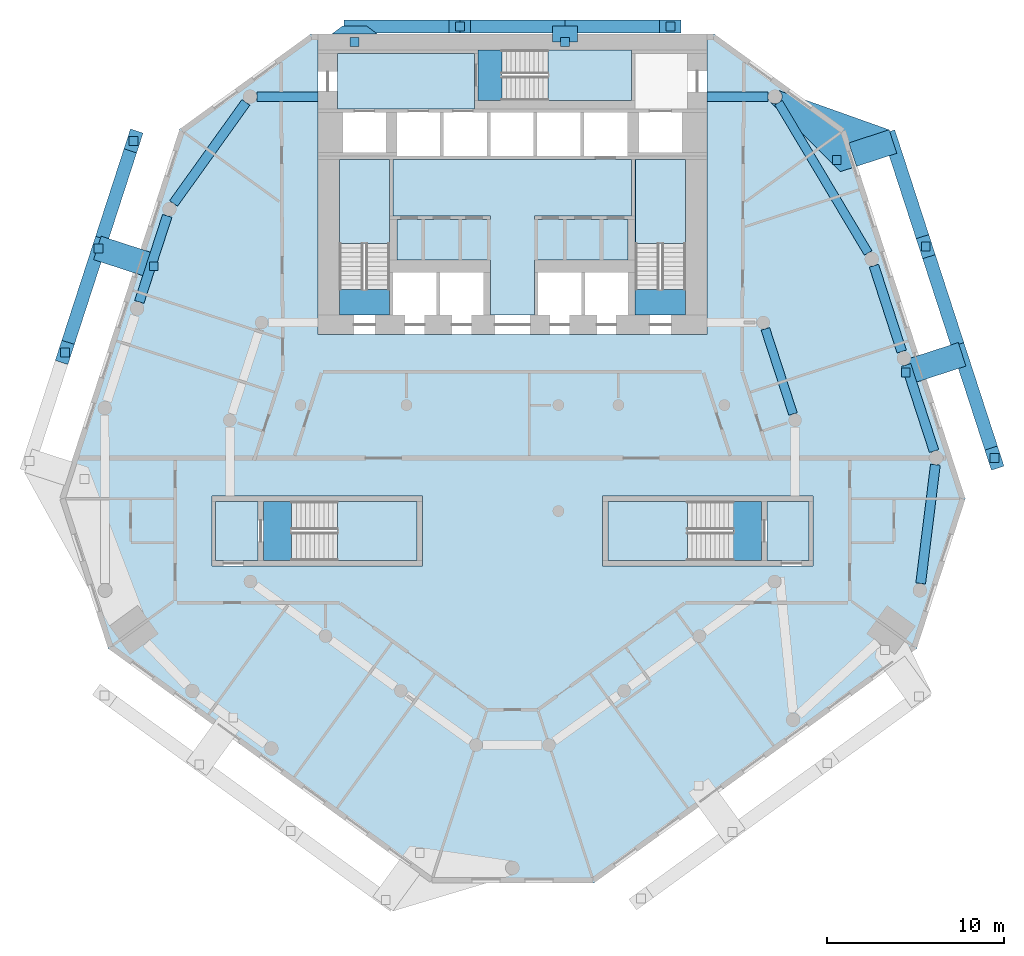
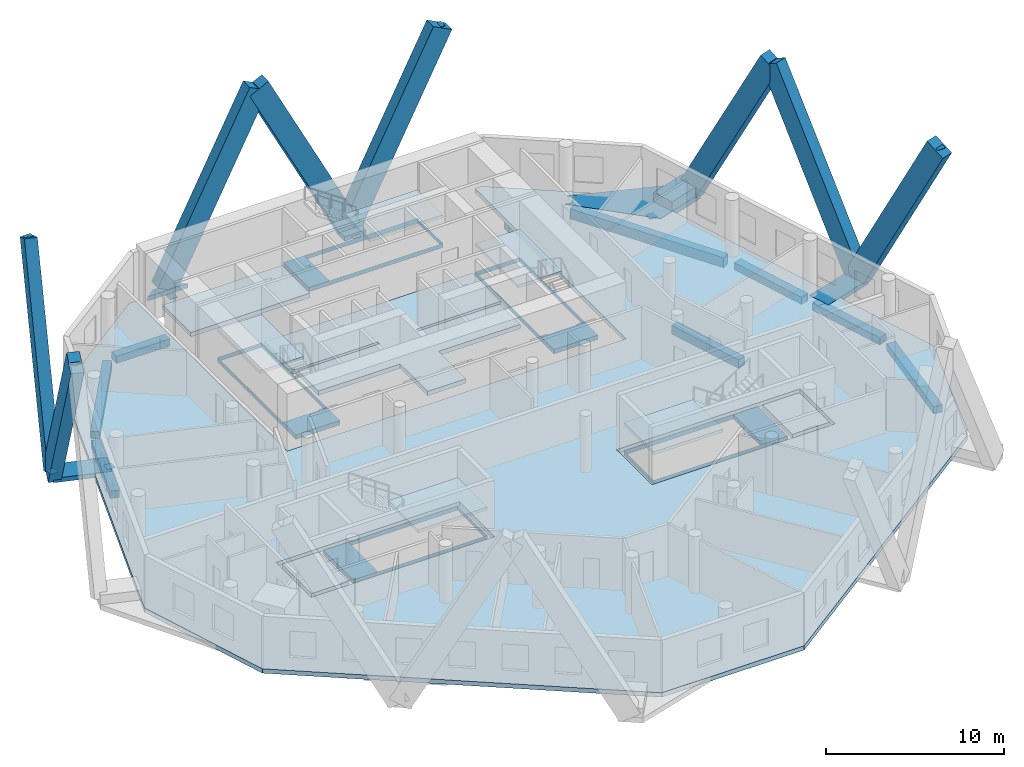
# One storey, part 2 of 10: 15 slabs, 14 members, 12 discrete accessories, 9 beams, 5 elements without a shape of their own.
"""IFC4 building model written with IfcOpenShell, lengths in metres."""

import ifcopenshell
import ifcopenshell.guid

model = None  # the IFC model being written
_history = None  # IfcOwnerHistory: only IFC2X3 demands one
_inside = {}  # id of a spatial element -> (the spatial element, [elements in it])
_under = {}  # id of a project, library or spatial element -> (it, [spatial elements below it])
_declared = {}  # id of a project -> (the project, [libraries it declares])
_typed = {}  # id of a type object -> (the type object, [elements of that type])
_made_of = {}  # id of a material, layer set ... -> (it, [elements and type objects made of it])


def new_model(schema):
    """Start an empty IFC model of exactly this schema.

    Asked for "IFC4X3", IfcOpenShell would pick the latest addendum, in which some entities
    have other attributes; the version numbers below select the first issue.
    IFC2X3 requires an IfcOwnerHistory on every rooted entity: one is made here for all.
    """
    global model, _history
    if schema == "IFC4X3":
        model = ifcopenshell.file(schema_version=(4, 3, 0, 0))
    else:
        model = ifcopenshell.file(schema=schema)
    _inside.clear()
    _under.clear()
    _declared.clear()
    _typed.clear()
    _made_of.clear()
    _history = None
    if model.schema == "IFC2X3":
        org = make("IfcOrganization", Name="unknown")
        user = make(
            "IfcPersonAndOrganization",
            ThePerson=make("IfcPerson", FamilyName="unknown"),
            TheOrganization=org,
        )
        app = make(
            "IfcApplication",
            ApplicationDeveloper=org,
            Version="unknown",
            ApplicationFullName="unknown",
            ApplicationIdentifier="unknown",
        )
        _history = make(
            "IfcOwnerHistory",
            OwningUser=user,
            OwningApplication=app,
            ChangeAction="ADDED",
            CreationDate=0,
        )
    return model


def make(cls, **values):
    """One entity of the class cls with the attributes given. An attribute that is None is left unset."""
    return model.create_entity(
        cls, **{name: value for name, value in values.items() if value is not None}
    )


def rooted(cls, **values):
    """An entity with a GlobalId (a new one), such as an element, a storey or a relation."""
    return make(cls, GlobalId=ifcopenshell.guid.new(), OwnerHistory=_history, **values)


def si_unit(unit_type, name, prefix=None):
    """IfcSIUnit, for example si_unit("LENGTHUNIT", "METRE", prefix="MILLI")."""
    return make("IfcSIUnit", UnitType=unit_type, Prefix=prefix, Name=name)


def assignment(units):
    """IfcUnitAssignment: the units of a project."""
    return None if units is None else make("IfcUnitAssignment", Units=units)


def point(xyz):
    """IfcCartesianPoint."""
    return None if xyz is None else make("IfcCartesianPoint", Coordinates=xyz)


def direction(xyz):
    """IfcDirection."""
    return None if xyz is None else make("IfcDirection", DirectionRatios=xyz)


def frame(location, z_axis=None, x_axis=None):
    """IfcAxis2Placement3D, a coordinate frame: its origin and axes. An axis left out is left unset."""
    return make(
        "IfcAxis2Placement3D",
        Location=point(location),
        Axis=direction(z_axis),
        RefDirection=direction(x_axis),
    )


def frame_2d(location, x_axis=None):
    """IfcAxis2Placement2D, a coordinate frame in the plane: its origin and x axis."""
    return make(
        "IfcAxis2Placement2D", Location=point(location), RefDirection=direction(x_axis)
    )


def origin():
    """The frame at (0, 0, 0) with its axes left unset."""
    return frame((0.0, 0.0, 0.0))


def origin_2d():
    """The frame at (0, 0) in the plane with its x axis left unset."""
    return frame_2d((0.0, 0.0))


def place(relative_to, where):
    """IfcLocalPlacement: puts the frame where relative to a parent placement (None: the world)."""
    return make(
        "IfcLocalPlacement", PlacementRelTo=relative_to, RelativePlacement=where
    )


def context(
    kind, dimensions, precision=None, world=None, true_north=None, identifier=None
):
    """IfcGeometricRepresentationContext, for example the 3D "Model" context."""
    return make(
        "IfcGeometricRepresentationContext",
        ContextIdentifier=identifier,
        ContextType=kind,
        CoordinateSpaceDimension=dimensions,
        Precision=precision,
        WorldCoordinateSystem=world,
        TrueNorth=true_north,
    )


def subcontext(parent, identifier, kind, view, scale=None):
    """IfcGeometricRepresentationSubContext, for example "Body" below "Model"."""
    return make(
        "IfcGeometricRepresentationSubContext",
        ContextIdentifier=identifier,
        ContextType=kind,
        ParentContext=parent,
        TargetScale=scale,
        TargetView=view,
    )


def project(units=None, contexts=None):
    """IfcProject with its units and contexts."""
    return rooted(
        "IfcProject",
        Name="project",
        RepresentationContexts=contexts,
        UnitsInContext=assignment(units),
    )


def spatial(cls, under=None, at=None, **own):
    """A site, building, storey or space (cls), placed at a placement, below another one or the project."""
    s = rooted(cls, ObjectPlacement=at, **own)
    if under is not None:
        _under.setdefault(under.id(), (under, []))[1].append(s)
    return s


def polyline(points):
    """IfcPolyline through the points."""
    return make("IfcPolyline", Points=[point(p) for p in points])


def profile(cls, at=None, kind="AREA", **sizes):
    """A parametric profile (cls). Its sizes go by their IFC names, for example OverallWidth=200.0."""
    return make(cls, ProfileType=kind, Position=at, **sizes)


def rectangle(**sizes):
    """IfcRectangleProfileDef."""
    return profile("IfcRectangleProfileDef", **sizes)


def outline(outer, holes=None, kind="AREA"):
    """IfcArbitraryClosedProfileDef: a profile drawn as a closed curve; with holes, ...WithVoids."""
    if holes is None:
        return make("IfcArbitraryClosedProfileDef", ProfileType=kind, OuterCurve=outer)
    return make(
        "IfcArbitraryProfileDefWithVoids",
        ProfileType=kind,
        OuterCurve=outer,
        InnerCurves=holes,
    )


def extrude(swept, where, along, depth):
    """IfcExtrudedAreaSolid: the profile swept, set in the frame where, extruded along a direction by depth."""
    return make(
        "IfcExtrudedAreaSolid",
        SweptArea=swept,
        Position=where,
        ExtrudedDirection=direction(along),
        Depth=depth,
    )


def shape(context_of_items, identifier, shape_type, items):
    """IfcShapeRepresentation: the items that make up one representation, for example the "Body"."""
    return make(
        "IfcShapeRepresentation",
        ContextOfItems=context_of_items,
        RepresentationIdentifier=identifier,
        RepresentationType=shape_type,
        Items=items,
    )


def material(Name=None, Category=None):
    """IfcMaterial."""
    return make("IfcMaterial", Name=Name, Category=Category)


def layer(
    of_material, thickness, ventilated=None, Name=None, Category=None, Priority=None
):
    """IfcMaterialLayer: one layer of a wall or slab, of a material (None: an air gap)."""
    return make(
        "IfcMaterialLayer",
        Material=of_material,
        LayerThickness=thickness,
        IsVentilated=ventilated,
        Name=Name,
        Category=Category,
        Priority=Priority,
    )


def layer_set(layers, Name=None):
    """IfcMaterialLayerSet."""
    return make("IfcMaterialLayerSet", MaterialLayers=layers, LayerSetName=Name)


def material_profile(
    of_material, cross_section, Name=None, Category=None, Priority=None
):
    """IfcMaterialProfile: a cross section and its material."""
    return make(
        "IfcMaterialProfile",
        Name=Name,
        Material=of_material,
        Profile=cross_section,
        Priority=Priority,
        Category=Category,
    )


def profile_set(profiles, Name=None, composite=None):
    """IfcMaterialProfileSet."""
    return make(
        "IfcMaterialProfileSet",
        Name=Name,
        MaterialProfiles=profiles,
        CompositeProfile=composite,
    )


def made_of(thing, what):
    """Note that an element or type object is made of a material, layer set ...; save() writes the relation."""
    if what is not None:
        _made_of.setdefault(what.id(), (what, []))[1].append(thing)
    return thing


def type_object(cls, material=None, **own):
    """A type object (cls), such as IfcWallType, which elements share."""
    return made_of(rooted(cls, **own), material)


def element(
    cls,
    number,
    at=None,
    inside=None,
    cuts=None,
    type_object=None,
    material=None,
    context=None,
    identifier="Body",
    shape_type=None,
    held_by="IfcProductDefinitionShape",
    body=None,
    shapes=None,
    **own,
):
    """One element of the class cls, such as IfcWall. Its Tag is "e" and its number.

    at: its placement. inside: the storey or other place that contains it. cuts: it is an
    opening in that element (IfcRelVoidsElement). A single representation is given by context,
    identifier, shape_type and body (its items); several are given by shapes. held_by: the class
    of the entity that holds the representations. save() writes the other relations.
    """
    e = rooted(cls, Tag="e%d" % number, ObjectPlacement=at, **own)
    if body is not None:
        shapes = [shape(context, identifier, shape_type, body)]
    if shapes is not None:
        e.Representation = make(held_by, Representations=shapes)
    if inside is not None:
        _inside.setdefault(inside.id(), (inside, []))[1].append(e)
    if cuts is not None:
        rooted(
            "IfcRelVoidsElement", RelatingBuildingElement=cuts, RelatedOpeningElement=e
        )
    if type_object is not None:
        _typed.setdefault(type_object.id(), (type_object, []))[1].append(e)
    return made_of(e, material)


def aggregate(whole, parts):
    """IfcRelAggregates: a whole, such as a stair, and the parts it consists of."""
    return rooted("IfcRelAggregates", RelatingObject=whole, RelatedObjects=parts)


def save(model, path):
    """Write the relations noted so far, then the file.

    IfcRelAggregates (storeys below a building ...), IfcRelContainedInSpatialStructure (elements
    in a storey), IfcRelDefinesByType, IfcRelAssociatesMaterial and IfcRelDeclares: one each for
    every whole, place, type object, material and project.
    """
    for whole, parts in _under.values():
        aggregate(whole, parts)
    for where, things in _inside.values():
        rooted(
            "IfcRelContainedInSpatialStructure",
            RelatedElements=things,
            RelatingStructure=where,
        )
    for kind, things in _typed.values():
        rooted("IfcRelDefinesByType", RelatedObjects=things, RelatingType=kind)
    for what, things in _made_of.values():
        rooted("IfcRelAssociatesMaterial", RelatedObjects=things, RelatingMaterial=what)
    for by, libraries in _declared.values():
        rooted("IfcRelDeclares", RelatingContext=by, RelatedDefinitions=libraries)
    model.write(path)


model = new_model("IFC4")

# Units and contexts
model_context = context("Model", 3, precision=1e-05, world=origin(), true_north=direction((0.0, 1.0)))
body_context = subcontext(model_context, "Body", "Model", "MODEL_VIEW")
ifc_project = project(units=[si_unit("LENGTHUNIT", "METRE"), si_unit("AREAUNIT", "SQUARE_METRE"), si_unit("VOLUMEUNIT", "CUBIC_METRE"), si_unit("PLANEANGLEUNIT", "RADIAN"), si_unit("MASSUNIT", "GRAM", prefix="KILO")], contexts=[model_context])

# Site, building, storey
site_placement = place(None, origin())
site = spatial("IfcSite", under=ifc_project, at=site_placement, CompositionType="ELEMENT")
building_placement = place(site_placement, origin())
building = spatial("IfcBuilding", under=site, at=building_placement, Name="White Candle Pilgrim Tower", CompositionType="ELEMENT")
storey_placement = place(building_placement, frame((0.0, 0.0, 125.89990234375)))
storey = spatial("IfcBuildingStorey", under=building, at=storey_placement, Name="L28", CompositionType="ELEMENT", Elevation=125.89990234375)

# Member
ifc_material_1 = material(Name="Concrete C80/95, white", Category="concrete")
ifc_material_profile_1 = material_profile(ifc_material_1, rectangle(XDim=0.75, YDim=1.35009765625, at=origin_2d()), Name="RC-DG 750x1350")
ifc_profile_set_1 = profile_set([ifc_material_profile_1], Name="Concrete C80/95, white")
member_type_1 = type_object("IfcMemberType", Name="Exoskeleton diagonal RC-DG 750x1350 C80/95", PredefinedType="BRACE", material=ifc_profile_set_1)
member_1_placement = place(storey_placement, frame((72.97900390625, 88.425048828125, 0.0), z_axis=(0.453776473678, 0.0, 0.891115543539), x_axis=(0.0, 1.0, 0.0)))
member_1 = element("IfcMember", 1, at=member_1_placement, inside=storey, type_object=member_type_1, Name="Exoskeleton diagonal EX070", PredefinedType="BRACE", context=body_context, shape_type="SweptSolid", body=[
    extrude(rectangle(XDim=0.75, YDim=1.35009765625, at=origin_2d()), origin(), (0.0, 0.0, 1.0), 13.1298828125),
])

member_2_placement = place(storey_placement, frame((72.97900390625, 88.425048828125, 0.0), z_axis=(-0.453776473678, 0.0, 0.891115543539), x_axis=(0.0, -1.0, 0.0)))
member_2 = element("IfcMember", 2, at=member_2_placement, inside=storey, type_object=member_type_1, Name="Exoskeleton diagonal EX071", PredefinedType="BRACE", context=body_context, shape_type="SweptSolid", body=[
    extrude(rectangle(XDim=0.75, YDim=1.35009765625, at=origin_2d()), origin(), (0.0, 0.0, 1.0), 13.1298828125),
])

member_3_placement = place(storey_placement, frame((61.06298828125, 88.425048828125, 0.0), z_axis=(0.453776473678, 0.0, 0.891115543539), x_axis=(0.0, 1.0, 0.0)))
element("IfcMember", 3, at=member_3_placement, inside=storey, type_object=member_type_1, Name="Exoskeleton diagonal EX072", PredefinedType="BRACE", context=body_context, shape_type="SweptSolid", body=[
    extrude(rectangle(XDim=0.75, YDim=1.35009765625, at=origin_2d()), origin(), (0.0, 0.0, 1.0), 13.1298828125),
])

member_4_placement = place(storey_placement, frame((95.38330078125, 69.851318359375, 0.0), z_axis=(0.143844602997, -0.442725210892, 0.885044133266), x_axis=(0.951060012613, 0.309006233606, 0.0)))
member_4 = element("IfcMember", 4, at=member_4_placement, inside=storey, type_object=member_type_1, Name="Exoskeleton diagonal EX082", PredefinedType="BRACE", context=body_context, shape_type="SweptSolid", body=[
    extrude(rectangle(XDim=0.75, YDim=1.35009765625, at=origin_2d()), origin(), (0.0, 0.0, 1.0), 13.219970703125),
])

member_5_placement = place(storey_placement, frame((95.38330078125, 69.851318359375, 0.0), z_axis=(-0.14886235404, 0.458161791283, 0.876314882082), x_axis=(-0.951058612467, -0.309010542947, 0.0)))
member_5 = element("IfcMember", 5, at=member_5_placement, inside=storey, type_object=member_type_1, Name="Exoskeleton diagonal EX083", PredefinedType="BRACE", context=body_context, shape_type="SweptSolid", body=[
    extrude(rectangle(XDim=0.75, YDim=1.35009765625, at=origin_2d()), origin(), (0.0, 0.0, 1.0), 13.3515625),
])

member_6_placement = place(storey_placement, frame((91.4697265625, 81.89599609375, 0.0), z_axis=(0.145287275916, -0.447132687537, 0.88258935366), x_axis=(0.951053353867, 0.309026727158, 0.0)))
element("IfcMember", 6, at=member_6_placement, inside=storey, type_object=member_type_1, Name="Exoskeleton diagonal EX084", PredefinedType="BRACE", context=body_context, shape_type="SweptSolid", body=[
    extrude(rectangle(XDim=0.75, YDim=1.35009765625, at=origin_2d()), origin(), (0.0, 0.0, 1.0), 13.256591796875),
])

member_7_placement = place(storey_placement, frame((46.573486328125, 75.87353515625, 0.0), z_axis=(0.148157656606, 0.456009161099, 0.87755623967), x_axis=(-0.951061849722, 0.309000579292, 0.0)))
member_7 = element("IfcMember", 7, at=member_7_placement, inside=storey, type_object=member_type_1, Name="Exoskeleton diagonal EX118", PredefinedType="BRACE", context=body_context, shape_type="SweptSolid", body=[
    extrude(rectangle(XDim=0.75, YDim=1.35009765625, at=origin_2d()), origin(), (0.0, 0.0, 1.0), 13.332763671875),
])

member_8_placement = place(storey_placement, frame((46.573486328125, 75.87353515625, 0.0), z_axis=(-0.144567438752, -0.444933540929, 0.883818080721), x_axis=(0.95105666217, -0.309016545418, 0.0)))
member_8 = element("IfcMember", 8, at=member_8_placement, inside=storey, type_object=member_type_1, Name="Exoskeleton diagonal EX119", PredefinedType="BRACE", context=body_context, shape_type="SweptSolid", body=[
    extrude(rectangle(XDim=0.75, YDim=1.35009765625, at=origin_2d()), origin(), (0.0, 0.0, 1.0), 13.23828125),
])

ifc_material_2 = material(Name="Concrete C70/85, white", Category="concrete")
ifc_layer_1 = layer(ifc_material_2, 0.300048828125)
ifc_layer_set_1 = layer_set([ifc_layer_1], Name="Node tie strut 3350x1400x300 C70/85")
member_type_2 = type_object("IfcMemberType", Name="Node tie strut 3350x1400x300 C70/85", PredefinedType="STRUT", material=ifc_layer_set_1)
member_9_placement = place(storey_placement, frame((93.86181640625, 69.356689453125, -0.2998046875), z_axis=(0.0, 0.0, 1.0), x_axis=(-0.309016994375, 0.951056516295, 0.0)))
member_9 = element("IfcMember", 9, at=member_9_placement, inside=storey, type_object=member_type_2, Name="Node tie strut NC081", PredefinedType="STRUT", context=body_context, shape_type="SweptSolid", body=[
    extrude(rectangle(XDim=1.39990234375, YDim=3.35009765625, at=origin_2d()), origin(), (0.0, 0.0, 1.0), 0.300048828125),
])

member_10_placement = place(storey_placement, frame((0.0, 0.0, -0.349853515625)))
member_10 = element("IfcMember", 10, at=member_10_placement, inside=storey, type_object=member_type_2, Name="Node tie strut NC082", PredefinedType="STRUT", context=body_context, shape_type="SweptSolid", body=[
    extrude(outline(polyline([(88.5712890625, 80.21826171875), (91.75732421875, 81.25341796875), (91.32470703125, 82.584716796875), (84.988525390625, 84.8388671875), (85.01318359375, 84.82958984375), (85.036865234375, 84.818603515625), (85.06005859375, 84.806396484375), (85.082275390625, 84.79248046875), (85.103515625, 84.77734375), (85.123779296875, 84.7607421875), (85.142822265625, 84.742919921875), (85.16064453125, 84.7236328125), (85.17724609375, 84.70361328125), (85.192626953125, 84.68212890625), (85.206298828125, 84.659912109375), (85.21875, 84.636962890625), (85.2294921875, 84.613037109375), (85.23876953125, 84.588623046875), (85.246337890625, 84.5634765625), (85.252197265625, 84.5380859375), (85.256591796875, 84.51220703125), (85.259033203125, 84.486083984375), (85.260009765625, 84.4599609375), (85.259033203125, 84.433837890625), (85.256591796875, 84.40771484375), (85.252197265625, 84.382080078125), (85.246337890625, 84.3564453125), (85.23876953125, 84.331298828125), (85.2294921875, 84.306884765625), (85.21875, 84.283203125), (85.206298828125, 84.260009765625), (85.192626953125, 84.23779296875), (85.17724609375, 84.216552734375), (85.16064453125, 84.1962890625), (85.142822265625, 84.17724609375), (85.123779296875, 84.1591796875), (85.103515625, 84.142578125), (85.082275390625, 84.12744140625), (85.06005859375, 84.113525390625), (85.036865234375, 84.101318359375), (85.01318359375, 84.09033203125), (84.988525390625, 84.081298828125), (84.96337890625, 84.073486328125), (84.93798828125, 84.067626953125), (84.912109375, 84.0634765625), (84.88623046875, 84.060791015625), (84.860107421875, 84.06005859375), (84.833740234375, 84.060791015625), (84.807861328125, 84.0634765625), (84.781982421875, 84.067626953125), (84.756591796875, 84.073486328125), (84.7314453125, 84.081298828125), (84.706787109375, 84.09033203125), (84.68310546875, 84.101318359375), (84.659912109375, 84.113525390625), (84.6376953125, 84.12744140625), (84.616455078125, 84.142578125), (84.59619140625, 84.1591796875), (84.5771484375, 84.17724609375), (88.5712890625, 80.21826171875)])), origin(), (0.0, 0.0, 1.0), 0.349853515625),
])

member_11_placement = place(storey_placement, origin())
element("IfcMember", 11, at=member_11_placement, inside=storey, type_object=member_type_2, Name="Node tie strut NC082", PredefinedType="STRUT", context=body_context, shape_type="SweptSolid", body=[
    extrude(outline(polyline([(89.474853515625, 80.51171875), (91.75732421875, 81.25341796875), (91.32470703125, 82.584716796875), (89.042236328125, 81.84326171875), (89.474853515625, 80.51171875)])), origin(), (0.0, 0.0, 1.0), 0.650146484375),
])

member_12_placement = place(storey_placement, frame((48.09521484375, 75.379150390625, -0.2998046875), z_axis=(0.0, 0.0, 1.0), x_axis=(-0.309016994375, -0.951056516295, 0.0)))
member_12 = element("IfcMember", 12, at=member_12_placement, inside=storey, type_object=member_type_2, Name="Node tie strut NC089", PredefinedType="STRUT", context=body_context, shape_type="SweptSolid", body=[
    extrude(rectangle(XDim=1.39990234375, YDim=3.35009765625, at=origin_2d()), origin(), (0.0, 0.0, 1.0), 0.300048828125),
])

ifc_layer_2 = layer(ifc_material_2, 0.300048828125)
ifc_layer_set_2 = layer_set([ifc_layer_2], Name="Node tie strut 900x1400x300 C70/85")
member_type_3 = type_object("IfcMemberType", Name="Node tie strut 900x1400x300 C70/85", PredefinedType="STRUT", material=ifc_layer_set_2)
member_13_placement = place(storey_placement, frame((72.97900390625, 88.0, -0.2998046875), z_axis=(0.0, 0.0, 1.0), x_axis=(-1.0, 0.0, 0.0)))
member_13 = element("IfcMember", 13, at=member_13_placement, inside=storey, type_object=member_type_3, Name="Node tie strut NC083", PredefinedType="STRUT", context=body_context, shape_type="SweptSolid", body=[
    extrude(rectangle(XDim=1.39990234375, YDim=0.89990234375, at=origin_2d()), origin(), (0.0, 0.0, 1.0), 0.300048828125),
])

member_14_placement = place(storey_placement, frame((0.0, 0.0, -0.2998046875)))
member_14 = element("IfcMember", 14, at=member_14_placement, inside=storey, type_object=member_type_3, Name="Node tie strut NC084", PredefinedType="STRUT", context=body_context, shape_type="SweptSolid", body=[
    extrude(outline(polyline([(59.762939453125, 88.0), (62.363037109375, 88.0), (61.762939453125, 88.449951171875), (60.363037109375, 88.449951171875), (59.762939453125, 88.0)])), origin(), (0.0, 0.0, 1.0), 0.2998046875),
])

# Beams
ifc_material_3 = material(Name="Concrete C50/60", Category="concrete")
ifc_material_profile_2 = material_profile(ifc_material_3, rectangle(XDim=0.5, YDim=0.60009765625, at=origin_2d()), Name="RC-BM 500x600")
ifc_profile_set_2 = profile_set([ifc_material_profile_2], Name="Concrete C50/60")
beam_type_1 = type_object("IfcBeamType", Name="Ring beam RC-BM 500x600 C50/60", PredefinedType="BEAM", material=ifc_profile_set_2)
beam_1_placement = place(storey_placement, frame((85.884033203125, 66.49658203125, -0.599853515625), z_axis=(-0.309554632353, 0.950881659087, 0.0), x_axis=(-0.950881659087, -0.309554632353, 0.0)))
element("IfcBeam", 15, at=beam_1_placement, inside=storey, type_object=beam_type_1, Name="L28 ring beam R09", PredefinedType="BEAM", context=body_context, shape_type="SweptSolid", body=[
    extrude(rectangle(XDim=0.5, YDim=0.60009765625, at=origin_2d()), origin(), (0.0, 0.0, 1.0), 5.065673828125),
])
ifc_material_profile_3 = material_profile(ifc_material_3, rectangle(XDim=0.5, YDim=0.699951171875, at=origin_2d()), Name="RC-BM 500x700")
ifc_profile_set_3 = profile_set([ifc_material_profile_3], Name="Concrete C50/60")
beam_type_2 = type_object("IfcBeamType", Name="Spandrel beam RC-BM 500x700 C50/60", PredefinedType="BEAM", material=ifc_profile_set_3)
beam_2_placement = place(storey_placement, frame((90.13525390625, 75.61328125, -0.64990234375), z_axis=(-0.51215480768, 0.858893155736, 0.0), x_axis=(-0.858893155736, -0.51215480768, 0.0)))
element("IfcBeam", 16, at=beam_2_placement, inside=storey, type_object=beam_type_2, Name="L28 spandrel beam T08", PredefinedType="BEAM", context=body_context, shape_type="SweptSolid", body=[
    extrude(rectangle(XDim=0.5, YDim=0.699951171875, at=origin_2d()), origin(), (0.0, 0.0, 1.0), 9.900390625),
])
ifc_material_profile_4 = material_profile(ifc_material_3, rectangle(XDim=0.550048828125, YDim=0.5, at=origin_2d()), Name="RC-BM 550x500")
ifc_profile_set_4 = profile_set([ifc_material_profile_4], Name="Concrete C50/60")
beam_type_3 = type_object("IfcBeamType", Name="Spandrel beam RC-BM 550x500 C50/60", PredefinedType="BEAM", material=ifc_profile_set_4)
beam_3_placement = place(storey_placement, frame((93.109130859375, 56.906982421875, -0.5498046875), z_axis=(0.122911300598, 0.992417660154, 0.0), x_axis=(-0.992417660154, 0.122911300598, 0.0)))
element("IfcBeam", 17, at=beam_3_placement, inside=storey, type_object=beam_type_3, Name="L28 spandrel beam T05", PredefinedType="BEAM", context=body_context, shape_type="SweptSolid", body=[
    extrude(rectangle(XDim=0.550048828125, YDim=0.5, at=origin_2d()), origin(), (0.0, 0.0, 1.0), 6.767333984375),
])
beam_4_placement = place(storey_placement, frame((93.866455078125, 64.400390625, -0.5498046875), z_axis=(-0.309123808161, 0.95102180376, 0.0), x_axis=(-0.95102180376, -0.309123808161, 0.0)))
element("IfcBeam", 18, at=beam_4_placement, inside=storey, type_object=beam_type_3, Name="L28 spandrel beam T06", PredefinedType="BEAM", context=body_context, shape_type="SweptSolid", body=[
    extrude(rectangle(XDim=0.550048828125, YDim=0.5, at=origin_2d()), origin(), (0.0, 0.0, 1.0), 5.1201171875),
])
beam_5_placement = place(storey_placement, frame((92.036865234375, 70.030517578125, -0.5498046875), z_axis=(-0.308114253226, 0.951349361149, 0.0), x_axis=(-0.951349361149, -0.308114253226, 0.0)))
element("IfcBeam", 19, at=beam_5_placement, inside=storey, type_object=beam_type_3, Name="L28 spandrel beam T07", PredefinedType="BEAM", context=body_context, shape_type="SweptSolid", body=[
    extrude(rectangle(XDim=0.550048828125, YDim=0.5, at=origin_2d()), origin(), (0.0, 0.0, 1.0), 5.107666015625),
])
for number, where, z_axis, x_axis, name in (
    (20, (84.4599609375, 84.4599609375, -0.5498046875), (-1.0, 0.0, 0.0), (0.0, -1.0, 0.0), "L28 spandrel beam T09"),
    (21, (55.5400390625, 84.4599609375, -0.5498046875), (1.0, 0.0, 0.0), (0.0, 1.0, 0.0), "L28 spandrel beam T10"),
):
    element("IfcBeam", number, at=place(storey_placement, frame(where, z_axis=z_axis, x_axis=x_axis)), inside=storey, type_object=beam_type_3, Name=name, PredefinedType="BEAM", context=body_context, shape_type="SweptSolid", body=[
        extrude(rectangle(XDim=0.550048828125, YDim=0.5, at=origin_2d()), origin(), (0.0, 0.0, 1.0), 3.4599609375),
    ])
beam_6_placement = place(storey_placement, frame((54.9072265625, 84.135009765625, -0.5498046875), z_axis=(-0.582065224797, -0.813142099563, 0.0), x_axis=(0.813142099563, -0.582065224797, 0.0)))
element("IfcBeam", 22, at=beam_6_placement, inside=storey, type_object=beam_type_3, Name="L28 spandrel beam T11", PredefinedType="BEAM", context=body_context, shape_type="SweptSolid", body=[
    extrude(rectangle(XDim=0.550048828125, YDim=0.5, at=origin_2d()), origin(), (0.0, 0.0, 1.0), 7.034423828125),
])
beam_7_placement = place(storey_placement, frame((50.456298828125, 77.709716796875, -0.5498046875), z_axis=(-0.309123808161, -0.95102180376, 0.0), x_axis=(0.95102180376, -0.309123808161, 0.0)))
element("IfcBeam", 23, at=beam_7_placement, inside=storey, type_object=beam_type_3, Name="L28 spandrel beam T12", PredefinedType="BEAM", context=body_context, shape_type="SweptSolid", body=[
    extrude(rectangle(XDim=0.550048828125, YDim=0.5, at=origin_2d()), origin(), (0.0, 0.0, 1.0), 5.1201171875),
])

# Slabs
ifc_material_4 = material(Name="Concrete C40/50", Category="concrete")
ifc_layer_3 = layer(ifc_material_4, 0.300048828125)
ifc_layer_set_3 = layer_set([ifc_layer_3], Name="Core floor slab 300 mm Concrete C40/50")
slab_type_1 = type_object("IfcSlabType", Name="Core floor slab 300 mm Concrete C40/50", PredefinedType="FLOOR", material=ifc_layer_set_3)
slab_1_placement = place(storey_placement, frame((0.0, 0.0, -0.2998046875)))
element("IfcSlab", 24, at=slab_1_placement, inside=storey, type_object=slab_type_1, Name="CF-L28-01", PredefinedType="FLOOR", context=body_context, shape_type="SweptSolid", body=[
    extrude(outline(polyline([(55.60009765625, 58.199951171875), (53.199951171875, 58.199951171875), (53.199951171875, 61.550048828125), (55.60009765625, 61.550048828125), (55.60009765625, 58.199951171875)])), origin(), (0.0, 0.0, 1.0), 0.2998046875),
])
slab_2_placement = place(storey_placement, frame((0.0, 0.0, -0.2998046875)))
element("IfcSlab", 25, at=slab_2_placement, inside=storey, type_object=slab_type_1, Name="CF-L28-02", PredefinedType="FLOOR", context=body_context, shape_type="SweptSolid", body=[
    extrude(outline(polyline([(55.89990234375, 58.199951171875), (55.89990234375, 61.550048828125), (64.60009765625, 61.550048828125), (64.60009765625, 58.199951171875), (55.89990234375, 58.199951171875)]), holes=[polyline([(57.501953125, 61.548095703125), (57.501953125, 58.201904296875), (64.597900390625, 58.201904296875), (64.597900390625, 61.548095703125), (57.501953125, 61.548095703125)])]), origin(), (0.0, 0.0, 1.0), 0.2998046875),
])
slab_3_placement = place(storey_placement, frame((0.0, 0.0, -0.2998046875)))
element("IfcSlab", 26, at=slab_3_placement, inside=storey, type_object=slab_type_1, Name="CF-L28-03", PredefinedType="FLOOR", context=body_context, shape_type="SweptSolid", body=[
    extrude(outline(polyline([(75.39990234375, 58.199951171875), (75.39990234375, 61.550048828125), (84.10009765625, 61.550048828125), (84.10009765625, 58.199951171875), (75.39990234375, 58.199951171875)]), holes=[polyline([(82.498046875, 58.201904296875), (82.498046875, 61.548095703125), (75.402099609375, 61.548095703125), (75.402099609375, 58.201904296875), (82.498046875, 58.201904296875)])]), origin(), (0.0, 0.0, 1.0), 0.2998046875),
])
slab_4_placement = place(storey_placement, frame((0.0, 0.0, -0.2998046875)))
element("IfcSlab", 27, at=slab_4_placement, inside=storey, type_object=slab_type_1, Name="CF-L28-04", PredefinedType="FLOOR", context=body_context, shape_type="SweptSolid", body=[
    extrude(outline(polyline([(86.800048828125, 58.199951171875), (84.39990234375, 58.199951171875), (84.39990234375, 61.550048828125), (86.800048828125, 61.550048828125), (86.800048828125, 58.199951171875)])), origin(), (0.0, 0.0, 1.0), 0.2998046875),
])
slab_5_placement = place(storey_placement, frame((0.0, 0.0, -0.2998046875)))
element("IfcSlab", 28, at=slab_5_placement, inside=storey, type_object=slab_type_1, Name="CF-L28-05", PredefinedType="FLOOR", context=body_context, shape_type="SweptSolid", body=[
    extrude(outline(polyline([(76.75, 87.10009765625), (76.75, 86.89990234375), (76.75, 84.25), (68.050048828125, 84.25), (68.050048828125, 86.89990234375), (68.050048828125, 87.10009765625), (76.75, 87.10009765625)]), holes=[polyline([(69.402099609375, 87.097900390625), (69.402099609375, 84.251953125), (76.748046875, 84.251953125), (76.748046875, 87.097900390625), (69.402099609375, 87.097900390625)])]), origin(), (0.0, 0.0, 1.0), 0.2998046875),
])
slab_6_placement = place(storey_placement, frame((0.0, 0.0, -0.2998046875)))
element("IfcSlab", 29, at=slab_6_placement, inside=storey, type_object=slab_type_1, Name="CF-L28-07", PredefinedType="FLOOR", context=body_context, shape_type="SweptSolid", body=[
    extrude(outline(polyline([(76.949951171875, 72.10009765625), (76.949951171875, 74.5), (76.949951171875, 75.199951171875), (76.949951171875, 77.5), (76.949951171875, 77.699951171875), (76.949951171875, 80.89990234375), (79.800048828125, 80.89990234375), (79.800048828125, 72.10009765625), (76.949951171875, 72.10009765625)]), holes=[polyline([(76.951904296875, 73.552001953125), (79.798095703125, 73.552001953125), (79.798095703125, 80.89794921875), (76.951904296875, 80.89794921875), (76.951904296875, 73.552001953125)])]), origin(), (0.0, 0.0, 1.0), 0.2998046875),
])
slab_7_placement = place(storey_placement, frame((0.0, 0.0, -0.2998046875)))
element("IfcSlab", 30, at=slab_7_placement, inside=storey, type_object=slab_type_1, Name="CF-L28-08", PredefinedType="FLOOR", context=body_context, shape_type="SweptSolid", body=[
    extrude(outline(polyline([(68.75, 72.10009765625), (68.75, 74.5), (68.75, 75.199951171875), (63.449951171875, 75.199951171875), (63.449951171875, 77.5), (68.75, 77.5), (68.75, 77.699951171875), (63.25, 77.699951171875), (63.25, 80.89990234375), (76.75, 80.89990234375), (76.75, 77.699951171875), (71.25, 77.699951171875), (71.25, 77.5), (76.550048828125, 77.5), (76.550048828125, 75.199951171875), (71.25, 75.199951171875), (71.25, 74.5), (71.25, 72.10009765625), (68.75, 72.10009765625)])), origin(), (0.0, 0.0, 1.0), 0.2998046875),
])
slab_8_placement = place(storey_placement, frame((0.0, 0.0, -0.2998046875)))
element("IfcSlab", 31, at=slab_8_placement, inside=storey, type_object=slab_type_1, Name="CF-L28-09", PredefinedType="FLOOR", context=body_context, shape_type="SweptSolid", body=[
    extrude(outline(polyline([(60.199951171875, 72.10009765625), (60.199951171875, 80.89990234375), (63.050048828125, 80.89990234375), (63.050048828125, 77.699951171875), (63.050048828125, 77.5), (63.050048828125, 75.199951171875), (63.050048828125, 74.5), (63.050048828125, 72.10009765625), (60.199951171875, 72.10009765625)]), holes=[polyline([(60.201904296875, 73.552001953125), (63.048095703125, 73.552001953125), (63.048095703125, 80.89794921875), (60.201904296875, 80.89794921875), (60.201904296875, 73.552001953125)])]), origin(), (0.0, 0.0, 1.0), 0.2998046875),
])
slab_9_placement = place(storey_placement, frame((0.0, 0.0, -0.2998046875)))
element("IfcSlab", 32, at=slab_9_placement, inside=storey, type_object=slab_type_1, Name="CF-L28-10", PredefinedType="FLOOR", context=body_context, shape_type="SweptSolid", body=[
    extrude(outline(polyline([(60.10009765625, 86.89990234375), (67.85009765625, 86.89990234375), (67.85009765625, 84.25), (67.85009765625, 83.75), (60.10009765625, 83.75), (60.10009765625, 86.89990234375)])), origin(), (0.0, 0.0, 1.0), 0.2998046875),
])
ifc_layer_4 = layer(ifc_material_4, 0.300048828125)
ifc_layer_set_4 = layer_set([ifc_layer_4], Name="Floor slab 300 REI 120")
slab_type_2 = type_object("IfcSlabType", Name="Floor slab 300 REI 120", PredefinedType="FLOOR", material=ifc_layer_set_4)
slab_10_placement = place(storey_placement, frame((0.0, 0.0, -0.2998046875)))
element("IfcSlab", 33, at=slab_10_placement, inside=storey, type_object=slab_type_2, Name="L28 floor slab", PredefinedType="FLOOR", context=body_context, shape_type="SweptSolid", body=[
    extrude(outline(polyline([(65.3798828125, 39.94677734375), (74.6201171875, 39.94677734375), (92.8837890625, 53.216064453125), (95.639892578125, 61.69921875), (88.842529296875, 82.619384765625), (81.43701171875, 88.0), (81.0, 88.0), (81.0, 71.0), (59.0, 71.0), (59.0, 88.0), (58.56298828125, 88.0), (51.157470703125, 82.619384765625), (44.360107421875, 61.69921875), (47.1162109375, 53.216064453125), (65.3798828125, 39.94677734375)]), holes=[polyline([(53.0, 57.89990234375), (53.0, 61.85009765625), (64.89990234375, 61.85009765625), (64.89990234375, 57.89990234375), (53.0, 57.89990234375)]), polyline([(75.10009765625, 57.89990234375), (75.10009765625, 61.85009765625), (87.0, 61.85009765625), (87.0, 57.89990234375), (75.10009765625, 57.89990234375)])]), origin(), (0.0, 0.0, 1.0), 0.2998046875),
])

# Stair, slab
stair_type_1 = type_object("IfcStairType", Name="Exit stair 1 flight width 1350 mm", PredefinedType="HALF_TURN_STAIR", material=ifc_material_4)
stair_1_placement = place(storey_placement, origin())
stair_1 = element("IfcStair", 34, at=stair_1_placement, inside=storey, type_object=stair_type_1, Name="L28 stair 1", PredefinedType="NOTDEFINED")
ifc_layer_5 = layer(ifc_material_4, 0.199951171875)
ifc_layer_set_5 = layer_set([ifc_layer_5], Name="Stair landing Concrete C40/50")
slab_type_3 = type_object("IfcSlabType", Name="Stair landing Concrete C40/50", PredefinedType="LANDING", material=ifc_layer_set_5)
slab_11_placement = place(storey_placement, frame((0.0, 0.0, 1.75)))
slab_11 = element("IfcSlab", 35, at=slab_11_placement, type_object=slab_type_3, Name="ST1 landing 1", PredefinedType="LANDING", context=body_context, shape_type="SweptSolid", body=[
    extrude(outline(polyline([(63.052001953125, 76.14794921875), (60.197998046875, 76.14794921875), (60.197998046875, 80.902099609375), (63.052001953125, 80.902099609375), (63.052001953125, 76.14794921875)])), origin(), (0.0, 0.0, 1.0), 0.2001953125),
])
aggregate(stair_1, [slab_11])

stair_type_2 = type_object("IfcStairType", Name="Exit stair 2 flight width 1350 mm", PredefinedType="HALF_TURN_STAIR", material=ifc_material_4)
stair_2_placement = place(storey_placement, origin())
stair_2 = element("IfcStair", 36, at=stair_2_placement, inside=storey, type_object=stair_type_2, Name="L28 stair 2", PredefinedType="NOTDEFINED")
slab_12_placement = place(storey_placement, frame((0.0, 0.0, 1.75)))
slab_12 = element("IfcSlab", 37, at=slab_12_placement, type_object=slab_type_3, Name="ST2 landing 1", PredefinedType="LANDING", context=body_context, shape_type="SweptSolid", body=[
    extrude(outline(polyline([(79.802001953125, 76.14794921875), (76.947998046875, 76.14794921875), (76.947998046875, 80.902099609375), (79.802001953125, 80.902099609375), (79.802001953125, 76.14794921875)])), origin(), (0.0, 0.0, 1.0), 0.2001953125),
])
aggregate(stair_2, [slab_12])

stair_type_3 = type_object("IfcStairType", Name="Exit stair 3 flight width 1350 mm", PredefinedType="HALF_TURN_STAIR", material=ifc_material_4)
stair_3_placement = place(storey_placement, origin())
stair_3 = element("IfcStair", 38, at=stair_3_placement, inside=storey, type_object=stair_type_3, Name="L28 stair 3", PredefinedType="NOTDEFINED")
slab_13_placement = place(storey_placement, frame((0.0, 0.0, 1.75)))
slab_13 = element("IfcSlab", 39, at=slab_13_placement, type_object=slab_type_3, Name="ST3 landing 1", PredefinedType="LANDING", context=body_context, shape_type="SweptSolid", body=[
    extrude(outline(polyline([(71.998046875, 84.248046875), (71.998046875, 87.10205078125), (76.751953125, 87.10205078125), (76.751953125, 84.248046875), (71.998046875, 84.248046875)])), origin(), (0.0, 0.0, 1.0), 0.2001953125),
])
aggregate(stair_3, [slab_13])

stair_type_4 = type_object("IfcStairType", Name="Exit stair 4 flight width 1600 mm", PredefinedType="HALF_TURN_STAIR", material=ifc_material_4)
stair_4_placement = place(storey_placement, origin())
stair_4 = element("IfcStair", 40, at=stair_4_placement, inside=storey, type_object=stair_type_4, Name="L28 stair 4", PredefinedType="NOTDEFINED")
slab_14_placement = place(storey_placement, frame((0.0, 0.0, 1.75)))
slab_14 = element("IfcSlab", 41, at=slab_14_placement, type_object=slab_type_3, Name="ST4 landing 1", PredefinedType="LANDING", context=body_context, shape_type="SweptSolid", body=[
    extrude(outline(polyline([(79.902099609375, 61.552001953125), (79.902099609375, 58.197998046875), (75.39794921875, 58.197998046875), (75.39794921875, 61.552001953125), (79.902099609375, 61.552001953125)])), origin(), (0.0, 0.0, 1.0), 0.2001953125),
])
aggregate(stair_4, [slab_14])

stair_type_5 = type_object("IfcStairType", Name="Exit stair 5 flight width 1600 mm", PredefinedType="HALF_TURN_STAIR", material=ifc_material_4)
stair_5_placement = place(storey_placement, origin())
stair_5 = element("IfcStair", 42, at=stair_5_placement, inside=storey, type_object=stair_type_5, Name="L28 stair 5", PredefinedType="NOTDEFINED")
slab_15_placement = place(storey_placement, frame((0.0, 0.0, 1.75)))
slab_15 = element("IfcSlab", 43, at=slab_15_placement, type_object=slab_type_3, Name="ST5 landing 1", PredefinedType="LANDING", context=body_context, shape_type="SweptSolid", body=[
    extrude(outline(polyline([(60.097900390625, 58.197998046875), (60.097900390625, 61.552001953125), (64.60205078125, 61.552001953125), (64.60205078125, 58.197998046875), (60.097900390625, 58.197998046875)])), origin(), (0.0, 0.0, 1.0), 0.2001953125),
])
aggregate(stair_5, [slab_15])

# Discrete accessory
ifc_material_5 = material(Name="Steel S355", Category="steel")
ifc_layer_6 = layer(ifc_material_5, 0.02490234375)
ifc_layer_set_6 = layer_set([ifc_layer_6], Name="Gusset plate 500x500x25 S355")
discrete_accessory_type = type_object("IfcDiscreteAccessoryType", Name="Gusset plate 500x500x25 S355", PredefinedType="BRACKET", material=ifc_layer_set_6)
placement = place(building_placement, frame((0.0, 0.0, 137.60009765625)))
discrete_accessory_1_placement = place(placement, frame((78.93701171875, 88.425048828125, -0.012451171875), z_axis=(0.0, 0.0, 1.0), x_axis=(1.0, 0.0, 0.0)))
discrete_accessory_1 = element("IfcDiscreteAccessory", 44, at=discrete_accessory_1_placement, type_object=discrete_accessory_type, Name="Gusset plate 0077", PredefinedType="BRACKET", context=body_context, shape_type="SweptSolid", body=[
    extrude(rectangle(XDim=0.5, YDim=0.5, at=origin_2d()), origin(), (0.0, 0.0, 1.0), 0.02490234375),
])

aggregate(member_1, [discrete_accessory_1])

discrete_accessory_2_placement = place(placement, frame((67.02099609375, 88.425048828125, -0.012451171875), z_axis=(0.0, 0.0, 1.0), x_axis=(1.0, 0.0, 0.0)))
discrete_accessory_2 = element("IfcDiscreteAccessory", 45, at=discrete_accessory_2_placement, type_object=discrete_accessory_type, Name="Gusset plate 0078", PredefinedType="BRACKET", context=body_context, shape_type="SweptSolid", body=[
    extrude(rectangle(XDim=0.5, YDim=0.5, at=origin_2d()), origin(), (0.0, 0.0, 1.0), 0.02490234375),
])

aggregate(member_2, [discrete_accessory_2])

discrete_accessory_3_placement = place(placement, frame((97.284912109375, 63.99853515625, -0.012451171875), z_axis=(0.0, 0.0, 1.0), x_axis=(1.0, 0.0, 0.0)))
discrete_accessory_3 = element("IfcDiscreteAccessory", 46, at=discrete_accessory_3_placement, type_object=discrete_accessory_type, Name="Gusset plate 0088", PredefinedType="BRACKET", context=body_context, shape_type="SweptSolid", body=[
    extrude(rectangle(XDim=0.5, YDim=0.5, at=origin_2d()), origin(), (0.0, 0.0, 1.0), 0.02490234375),
])

aggregate(member_4, [discrete_accessory_3])

discrete_accessory_4_placement = place(placement, frame((93.395751953125, 75.968505859375, -0.012451171875), z_axis=(0.0, 0.0, 1.0), x_axis=(1.0, 0.0, 0.0)))
discrete_accessory_4 = element("IfcDiscreteAccessory", 47, at=discrete_accessory_4_placement, type_object=discrete_accessory_type, Name="Gusset plate 0089", PredefinedType="BRACKET", context=body_context, shape_type="SweptSolid", body=[
    extrude(rectangle(XDim=0.5, YDim=0.5, at=origin_2d()), origin(), (0.0, 0.0, 1.0), 0.02490234375),
])

aggregate(member_5, [discrete_accessory_4])

discrete_accessory_5_placement = place(storey_placement, frame((46.573486328125, 75.87353515625, -0.012451171875), z_axis=(0.0, 0.0, 1.0), x_axis=(1.0, 0.0, 0.0)))
discrete_accessory_5 = element("IfcDiscreteAccessory", 48, at=discrete_accessory_5_placement, type_object=discrete_accessory_type, Name="Gusset plate 0132", PredefinedType="BRACKET", context=body_context, shape_type="SweptSolid", body=[
    extrude(rectangle(XDim=0.5, YDim=0.5, at=origin_2d()), origin(), (0.0, 0.0, 1.0), 0.02490234375),
])

discrete_accessory_6_placement = place(placement, frame((48.548828125, 81.953369140625, -0.012451171875), z_axis=(0.0, 0.0, 1.0), x_axis=(1.0, 0.0, 0.0)))
discrete_accessory_6 = element("IfcDiscreteAccessory", 49, at=discrete_accessory_6_placement, type_object=discrete_accessory_type, Name="Gusset plate 0133", PredefinedType="BRACKET", context=body_context, shape_type="SweptSolid", body=[
    extrude(rectangle(XDim=0.5, YDim=0.5, at=origin_2d()), origin(), (0.0, 0.0, 1.0), 0.02490234375),
])

aggregate(member_7, [discrete_accessory_5, discrete_accessory_6])

discrete_accessory_7_placement = place(placement, frame((44.65966796875, 69.9833984375, -0.012451171875), z_axis=(0.0, 0.0, 1.0), x_axis=(1.0, 0.0, 0.0)))
discrete_accessory_7 = element("IfcDiscreteAccessory", 50, at=discrete_accessory_7_placement, type_object=discrete_accessory_type, Name="Gusset plate 0134", PredefinedType="BRACKET", context=body_context, shape_type="SweptSolid", body=[
    extrude(rectangle(XDim=0.5, YDim=0.5, at=origin_2d()), origin(), (0.0, 0.0, 1.0), 0.02490234375),
])

aggregate(member_8, [discrete_accessory_7])

discrete_accessory_8_placement = place(storey_placement, frame((92.268798828125, 68.839111328125, -0.162353515625), z_axis=(0.0, 0.0, 1.0), x_axis=(1.0, 0.0, 0.0)))
discrete_accessory_8 = element("IfcDiscreteAccessory", 51, at=discrete_accessory_8_placement, type_object=discrete_accessory_type, Name="Gusset plate 0462", PredefinedType="BRACKET", context=body_context, shape_type="SweptSolid", body=[
    extrude(rectangle(XDim=0.5, YDim=0.5, at=origin_2d()), origin(), (0.0, 0.0, 1.0), 0.02490234375),
])

aggregate(member_9, [discrete_accessory_8])

discrete_accessory_9_placement = place(storey_placement, frame((88.35498046875, 80.8837890625, -0.162353515625), z_axis=(0.0, 0.0, 1.0), x_axis=(1.0, 0.0, 0.0)))
discrete_accessory_9 = element("IfcDiscreteAccessory", 52, at=discrete_accessory_9_placement, type_object=discrete_accessory_type, Name="Gusset plate 0463", PredefinedType="BRACKET", context=body_context, shape_type="SweptSolid", body=[
    extrude(rectangle(XDim=0.5, YDim=0.5, at=origin_2d()), origin(), (0.0, 0.0, 1.0), 0.02490234375),
])

aggregate(member_10, [discrete_accessory_9])

discrete_accessory_10_placement = place(storey_placement, frame((72.97900390625, 87.550048828125, -0.162353515625), z_axis=(0.0, 0.0, 1.0), x_axis=(1.0, 0.0, 0.0)))
discrete_accessory_10 = element("IfcDiscreteAccessory", 53, at=discrete_accessory_10_placement, type_object=discrete_accessory_type, Name="Gusset plate 0464", PredefinedType="BRACKET", context=body_context, shape_type="SweptSolid", body=[
    extrude(rectangle(XDim=0.5, YDim=0.5, at=origin_2d()), origin(), (0.0, 0.0, 1.0), 0.02490234375),
])

aggregate(member_13, [discrete_accessory_10])

discrete_accessory_11_placement = place(storey_placement, frame((61.06298828125, 87.550048828125, -0.162353515625), z_axis=(0.0, 0.0, 1.0), x_axis=(1.0, 0.0, 0.0)))
discrete_accessory_11 = element("IfcDiscreteAccessory", 54, at=discrete_accessory_11_placement, type_object=discrete_accessory_type, Name="Gusset plate 0465", PredefinedType="BRACKET", context=body_context, shape_type="SweptSolid", body=[
    extrude(rectangle(XDim=0.5, YDim=0.5, at=origin_2d()), origin(), (0.0, 0.0, 1.0), 0.02490234375),
])

aggregate(member_14, [discrete_accessory_11])

discrete_accessory_12_placement = place(storey_placement, frame((49.68798828125, 74.861572265625, -0.162353515625), z_axis=(0.0, 0.0, 1.0), x_axis=(1.0, 0.0, 0.0)))
discrete_accessory_12 = element("IfcDiscreteAccessory", 55, at=discrete_accessory_12_placement, type_object=discrete_accessory_type, Name="Gusset plate 0470", PredefinedType="BRACKET", context=body_context, shape_type="SweptSolid", body=[
    extrude(rectangle(XDim=0.5, YDim=0.5, at=origin_2d()), origin(), (0.0, 0.0, 1.0), 0.02490234375),
])

aggregate(member_12, [discrete_accessory_12])

save(model, "model.ifc")
